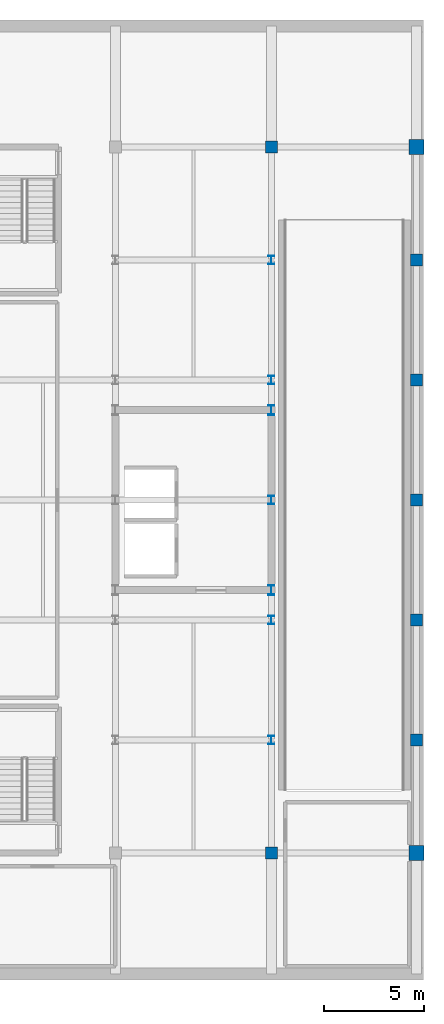
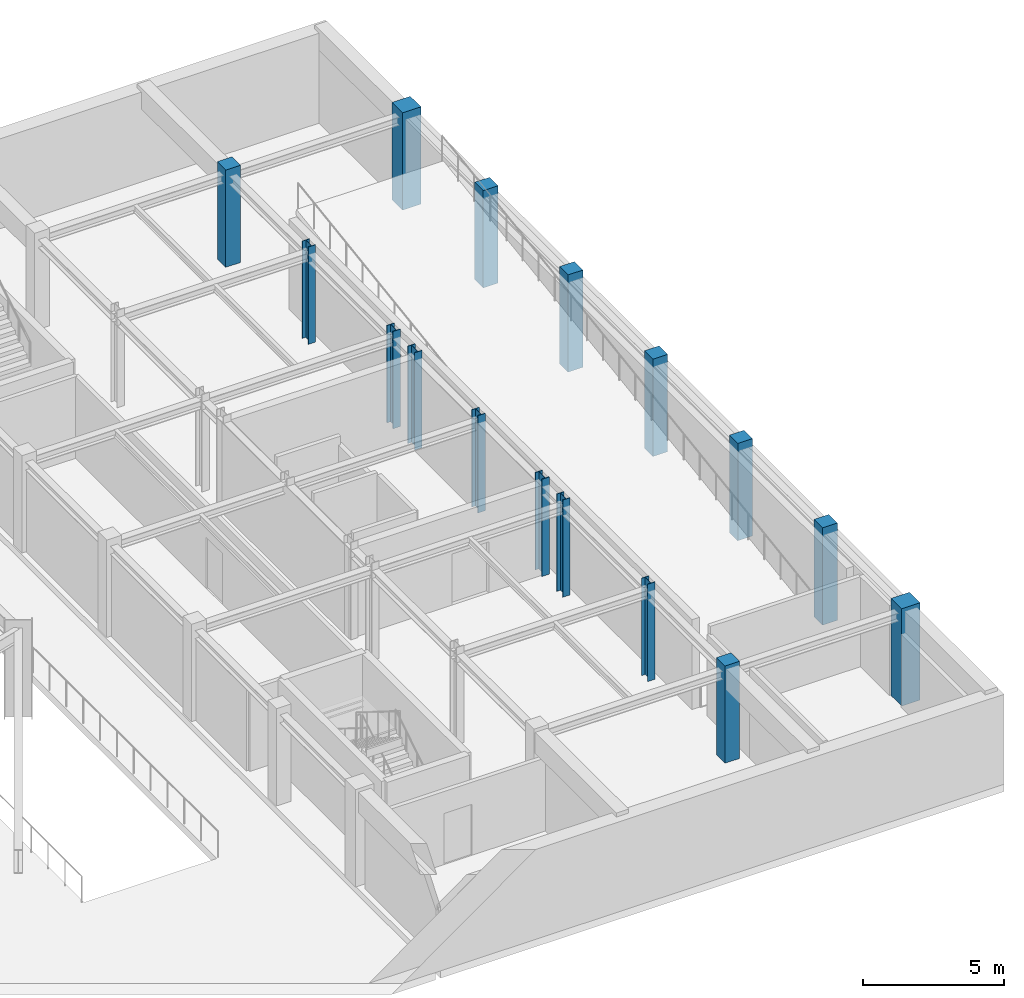
# One storey, part 4 of 12: 16 columns.
"""IFC4 building model written with IfcOpenShell, lengths in metres."""

from ifc_helpers import new_model, si_unit, direction, frame, origin, origin_2d, place, context, subcontext, project, spatial, rectangle, i_section, extrude, material, material_profile, profile_set, type_object, element, save


model = new_model("IFC4")

# Units and contexts
model_context = context("Model", 3, precision=1e-05, world=origin(), true_north=direction((0.0, 1.0)))
body_context = subcontext(model_context, "Body", "Model", "MODEL_VIEW")
ifc_project = project(units=[si_unit("LENGTHUNIT", "METRE"), si_unit("AREAUNIT", "SQUARE_METRE"), si_unit("VOLUMEUNIT", "CUBIC_METRE"), si_unit("PLANEANGLEUNIT", "RADIAN"), si_unit("MASSUNIT", "GRAM", prefix="KILO")], contexts=[model_context])

# Site, building, storey
site_placement = place(None, origin())
site = spatial("IfcSite", under=ifc_project, at=site_placement, CompositionType="ELEMENT")
building_placement = place(site_placement, origin())
building = spatial("IfcBuilding", under=site, at=building_placement, Name="Kranzbogen Civic Tower", CompositionType="ELEMENT")
storey_placement = place(building_placement, frame((0.0, 0.0, -4.199951171875)))
storey = spatial("IfcBuildingStorey", under=building, at=storey_placement, Name="B01", CompositionType="ELEMENT", Elevation=-4.199951171875)

# Columns
ifc_material_1 = material(Name="Steel S355", Category="steel")
ifc_material_profile_1 = material_profile(ifc_material_1, i_section(OverallWidth=0.300048828125, OverallDepth=0.449951171875, WebThickness=0.013916015625, FlangeThickness=0.02587890625, at=origin_2d()), Name="HEB 450")
ifc_profile_set_1 = profile_set([ifc_material_profile_1], Name="Steel S355")
column_type_1 = type_object("IfcColumnType", Name="Structural Column HEB 450", PredefinedType="COLUMN", material=ifc_profile_set_1)
for number, where, z_axis, x_axis, name in (
    (1, (67.39990234375, 13.0, 0.0), (0.0, 0.0, 1.0), (1.0, 0.0, 0.0), "B01 Health Centre column 12/C"),
    (2, (67.39990234375, 19.0, 0.0), (0.0, 0.0, 1.0), (1.0, 0.0, 0.0), "B01 Health Centre column 12/D"),
    (3, (67.39990234375, 25.0, 0.0), (0.0, 0.0, 1.0), (1.0, 0.0, 0.0), "B01 Health Centre column 12/E"),
    (4, (67.39990234375, 31.0, 0.0), (0.0, 0.0, 1.0), (1.0, 0.0, 0.0), "B01 Health Centre column 12/F"),
    (5, (67.39990234375, 37.0, 0.0), (0.0, 0.0, 1.0), (1.0, 0.0, 0.0), "B01 Health Centre column 12/G"),
):
    element("IfcColumn", number, at=place(storey_placement, frame(where, z_axis=z_axis, x_axis=x_axis)), inside=storey, type_object=column_type_1, Name=name, PredefinedType="COLUMN", context=body_context, shape_type="SweptSolid", body=[
        extrude(i_section(OverallWidth=0.300048828125, OverallDepth=0.449951171875, WebThickness=0.013916015625, FlangeThickness=0.02587890625, at=origin_2d()), origin(), (0.0, 0.0, 1.0), 4.199951171875),
    ])
ifc_material_profile_2 = material_profile(ifc_material_1, i_section(OverallWidth=0.300048828125, OverallDepth=0.5, WebThickness=0.014404296875, FlangeThickness=0.028076171875, at=origin_2d()), Name="HEB 500")
ifc_profile_set_2 = profile_set([ifc_material_profile_2], Name="Steel S355")
column_type_2 = type_object("IfcColumnType", Name="Structural Column HEB 500", PredefinedType="COLUMN", material=ifc_profile_set_2)
for number, where, z_axis, x_axis, name in (
    (6, (67.39990234375, 20.5, 0.0), (0.0, 0.0, 1.0), (1.0, 0.0, 0.0), "B01 Health Centre core corner column 2"),
    (7, (67.39990234375, 29.5, 0.0), (0.0, 0.0, 1.0), (1.0, 0.0, 0.0), "B01 Health Centre core corner column 3"),
):
    element("IfcColumn", number, at=place(storey_placement, frame(where, z_axis=z_axis, x_axis=x_axis)), inside=storey, type_object=column_type_2, Name=name, PredefinedType="COLUMN", context=body_context, shape_type="SweptSolid", body=[
        extrude(i_section(OverallWidth=0.300048828125, OverallDepth=0.5, WebThickness=0.014404296875, FlangeThickness=0.028076171875, at=origin_2d()), origin(), (0.0, 0.0, 1.0), 4.199951171875),
    ])
ifc_material_2 = material(Name="Concrete C40/50", Category="concrete")
ifc_material_profile_3 = material_profile(ifc_material_2, rectangle(XDim=0.60009765625, YDim=0.60009765625, at=origin_2d()), Name="RC 600x600")
ifc_profile_set_3 = profile_set([ifc_material_profile_3], Name="Concrete C40/50")
column_type_3 = type_object("IfcColumnType", Name="Structural Column RC 600x600", PredefinedType="COLUMN", material=ifc_profile_set_3)
for number, where, z_axis, x_axis, name in (
    (8, (67.39990234375, 7.35009765625, 0.0), (0.0, 0.0, 1.0), (1.0, 0.0, 0.0), "B01 Health Centre column 12/B"),
    (9, (67.39990234375, 42.64990234375, 0.0), (0.0, 0.0, 1.0), (1.0, 0.0, 0.0), "B01 Health Centre column 12/H"),
    (10, (74.64990234375, 13.0, 0.0), (0.0, 0.0, 1.0), (1.0, 0.0, 0.0), "B01 Health Centre column 13/C"),
    (11, (74.64990234375, 19.0, 0.0), (0.0, 0.0, 1.0), (1.0, 0.0, 0.0), "B01 Health Centre column 13/D"),
    (12, (74.64990234375, 25.0, 0.0), (0.0, 0.0, 1.0), (1.0, 0.0, 0.0), "B01 Health Centre column 13/E"),
    (13, (74.64990234375, 31.0, 0.0), (0.0, 0.0, 1.0), (1.0, 0.0, 0.0), "B01 Health Centre column 13/F"),
    (14, (74.64990234375, 37.0, 0.0), (0.0, 0.0, 1.0), (1.0, 0.0, 0.0), "B01 Health Centre column 13/G"),
):
    element("IfcColumn", number, at=place(storey_placement, frame(where, z_axis=z_axis, x_axis=x_axis)), inside=storey, type_object=column_type_3, Name=name, PredefinedType="COLUMN", context=body_context, shape_type="SweptSolid", body=[
        extrude(rectangle(XDim=0.60009765625, YDim=0.60009765625, at=origin_2d()), origin(), (0.0, 0.0, 1.0), 4.199951171875),
    ])
ifc_material_profile_4 = material_profile(ifc_material_2, rectangle(XDim=0.75, YDim=0.75, at=origin_2d()), Name="RC 750x750")
ifc_profile_set_4 = profile_set([ifc_material_profile_4], Name="Concrete C40/50")
column_type_4 = type_object("IfcColumnType", Name="Structural Column RC 750x750", PredefinedType="COLUMN", material=ifc_profile_set_4)
for number, where, z_axis, x_axis, name in (
    (15, (74.64990234375, 7.35009765625, 0.0), (0.0, 0.0, 1.0), (1.0, 0.0, 0.0), "B01 Health Centre column 13/B"),
    (16, (74.64990234375, 42.64990234375, 0.0), (0.0, 0.0, 1.0), (1.0, 0.0, 0.0), "B01 Health Centre column 13/H"),
):
    element("IfcColumn", number, at=place(storey_placement, frame(where, z_axis=z_axis, x_axis=x_axis)), inside=storey, type_object=column_type_4, Name=name, PredefinedType="COLUMN", context=body_context, shape_type="SweptSolid", body=[
        extrude(rectangle(XDim=0.75, YDim=0.75, at=origin_2d()), origin(), (0.0, 0.0, 1.0), 4.199951171875),
    ])

save(model, "model.ifc")
